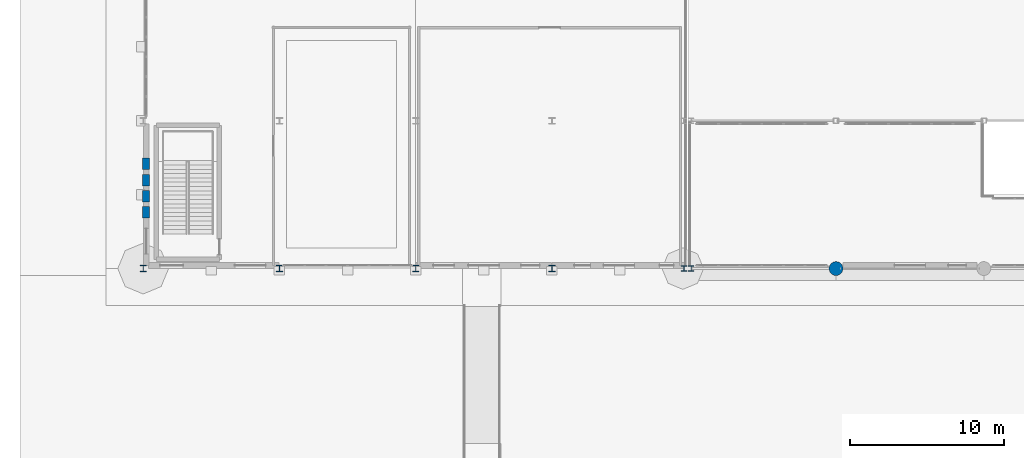
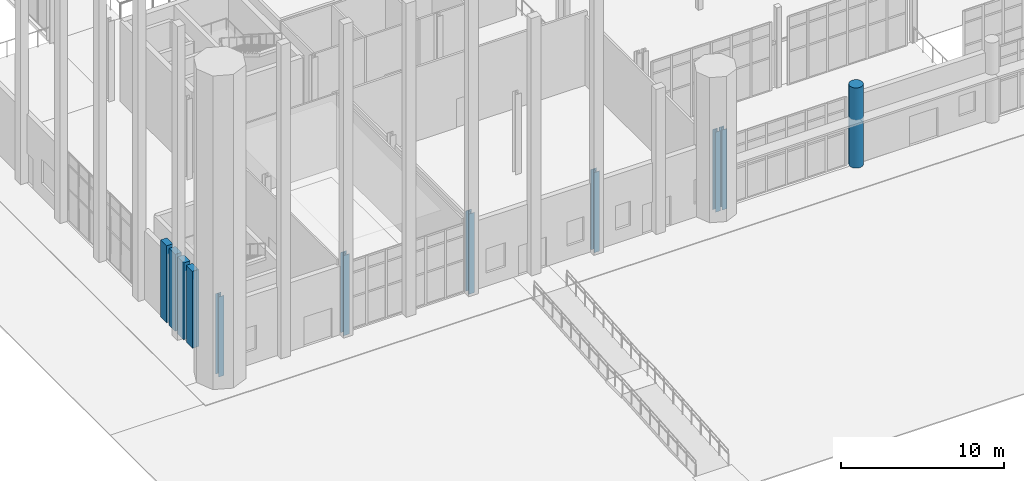
# One storey, part 1 of 139: 11 columns.
"""IFC4 building model written with IfcOpenShell, lengths in metres."""

from ifc_helpers import new_model, si_unit, direction, frame, origin, origin_2d, place, context, subcontext, project, spatial, rectangle, circle, i_section, extrude, material, material_profile, profile_set, type_object, element, save


model = new_model("IFC4")

# Units and contexts
model_context = context("Model", 3, precision=1e-05, world=origin(), true_north=direction((0.0, 1.0)))
body_context = subcontext(model_context, "Body", "Model", "MODEL_VIEW")
ifc_project = project(units=[si_unit("LENGTHUNIT", "METRE"), si_unit("AREAUNIT", "SQUARE_METRE"), si_unit("VOLUMEUNIT", "CUBIC_METRE"), si_unit("PLANEANGLEUNIT", "RADIAN"), si_unit("MASSUNIT", "GRAM", prefix="KILO")], contexts=[model_context])

# Site, building, storey
site_placement = place(None, origin())
site = spatial("IfcSite", under=ifc_project, at=site_placement, CompositionType="ELEMENT")
building_placement = place(site_placement, origin())
building = spatial("IfcBuilding", under=site, at=building_placement, Name="Yeouljin Market Hall", CompositionType="ELEMENT")
storey_placement = place(building_placement, origin())
storey = spatial("IfcBuildingStorey", under=building, at=storey_placement, Name="L00", CompositionType="ELEMENT", Elevation=0.0)

# Columns
ifc_material_1 = material(Name="Steel SM355", Category="steel")
ifc_material_profile_1 = material_profile(ifc_material_1, i_section(OverallWidth=0.35009765625, OverallDepth=0.35009765625, WebThickness=0.011962890625, FlangeThickness=0.01904296875, FilletRadius=0.02001953125, at=origin_2d()), Name="H-350x350x12x19")
ifc_profile_set_1 = profile_set([ifc_material_profile_1], Name="Steel SM355")
column_type_1 = type_object("IfcColumnType", Name="Col_H-350x350x12x19", PredefinedType="COLUMN", material=ifc_profile_set_1)
for number, where, z_axis, x_axis, name in (
    (1, (35.1298828125, 0.0, 0.0), (0.0, 0.0, 1.0), (1.0, 0.0, 0.0), "Column G-04-00 (L00)"),
    (2, (35.590087890625, 0.0, 0.0), (0.0, 0.0, 1.0), (1.0, 0.0, 0.0), "Column G-05-00 (L00)"),
):
    element("IfcColumn", number, at=place(storey_placement, frame(where, z_axis=z_axis, x_axis=x_axis)), inside=storey, type_object=column_type_1, Name=name, PredefinedType="COLUMN", context=body_context, shape_type="SweptSolid", body=[
        extrude(i_section(OverallWidth=0.35009765625, OverallDepth=0.35009765625, WebThickness=0.011962890625, FlangeThickness=0.01904296875, FilletRadius=0.02001953125, at=origin_2d()), origin(), (0.0, 0.0, 1.0), 6.0),
    ])
ifc_material_2 = material(Name="Steel SM355", Category="steel")
ifc_material_profile_2 = material_profile(ifc_material_2, i_section(OverallWidth=0.39990234375, OverallDepth=0.39990234375, WebThickness=0.012939453125, FlangeThickness=0.02099609375, FilletRadius=0.02197265625, at=origin_2d()), Name="H-400x400x13x21")
ifc_profile_set_2 = profile_set([ifc_material_profile_2], Name="Steel SM355")
column_type_2 = type_object("IfcColumnType", Name="Col_H-400x400x13x21", PredefinedType="COLUMN", material=ifc_profile_set_2)
for number, where, z_axis, x_axis, name in (
    (3, (0.0, 0.0, 0.0), (0.0, 0.0, 1.0), (1.0, 0.0, 0.0), "Column G-00-00 (L00)"),
    (4, (8.85009765625, 0.0, 0.0), (0.0, 0.0, 1.0), (1.0, 0.0, 0.0), "Column G-01-00 (L00)"),
    (5, (17.699951171875, 0.0, 0.0), (0.0, 0.0, 1.0), (1.0, 0.0, 0.0), "Column G-02-00 (L00)"),
    (6, (26.550048828125, 0.0, 0.0), (0.0, 0.0, 1.0), (1.0, 0.0, 0.0), "Column G-03-00 (L00)"),
):
    element("IfcColumn", number, at=place(storey_placement, frame(where, z_axis=z_axis, x_axis=x_axis)), inside=storey, type_object=column_type_2, Name=name, PredefinedType="COLUMN", context=body_context, shape_type="SweptSolid", body=[
        extrude(i_section(OverallWidth=0.39990234375, OverallDepth=0.39990234375, WebThickness=0.012939453125, FlangeThickness=0.02099609375, FilletRadius=0.02197265625, at=origin_2d()), origin(), (0.0, 0.0, 1.0), 6.0),
    ])
ifc_material_3 = material(Name="Concrete C35/45", Category="concrete")
ifc_material_profile_3 = material_profile(ifc_material_3, circle(Radius=0.449951171875, at=origin_2d()), Name="RC-D900")
ifc_profile_set_3 = profile_set([ifc_material_profile_3], Name="Concrete C35/45")
column_type_3 = type_object("IfcColumnType", Name="Col_RC-D900", PredefinedType="COLUMN", material=ifc_profile_set_3)
column_placement = place(storey_placement, frame((45.0, 0.0, 0.0), z_axis=(0.0, 0.0, 1.0), x_axis=(1.0, 0.0, 0.0)))
element("IfcColumn", 7, at=column_placement, inside=storey, type_object=column_type_3, Name="Column G-06-00 (L00)", PredefinedType="COLUMN", context=body_context, shape_type="SweptSolid", body=[
    extrude(circle(Radius=0.449951171875, at=origin_2d()), origin(), (0.0, 0.0, 1.0), 6.0),
])
ifc_material_4 = material(Name="Pocheon Granite Stone", Category="masonry")
ifc_material_profile_4 = material_profile(ifc_material_4, rectangle(XDim=0.449951171875, YDim=0.75, at=origin_2d()), Name="PIL-450x750")
ifc_profile_set_4 = profile_set([ifc_material_profile_4], Name="Pocheon Granite Stone")
column_type_4 = type_object("IfcColumnType", Name="Pilaster_Granite_450x750", PredefinedType="PILASTER", material=ifc_profile_set_4)
for number, where, z_axis, x_axis, name in (
    (8, (0.179931640625, 3.64990234375, 0.0), (0.0, 0.0, 1.0), (1.0, 0.0, 0.0), "Granite plinth pilaster 01"),
    (9, (0.179931640625, 4.699951171875, 0.0), (0.0, 0.0, 1.0), (1.0, 0.0, 0.0), "Granite plinth pilaster 02"),
    (10, (0.179931640625, 5.75, 0.0), (0.0, 0.0, 1.0), (1.0, 0.0, 0.0), "Granite plinth pilaster 03"),
    (11, (0.179931640625, 6.800048828125, 0.0), (0.0, 0.0, 1.0), (1.0, 0.0, 0.0), "Granite plinth pilaster 04"),
):
    element("IfcColumn", number, at=place(storey_placement, frame(where, z_axis=z_axis, x_axis=x_axis)), inside=storey, type_object=column_type_4, Name=name, PredefinedType="PILASTER", context=body_context, shape_type="SweptSolid", body=[
        extrude(rectangle(XDim=0.449951171875, YDim=0.75, at=origin_2d()), origin(), (0.0, 0.0, 1.0), 5.75),
    ])

save(model, "model.ifc")
